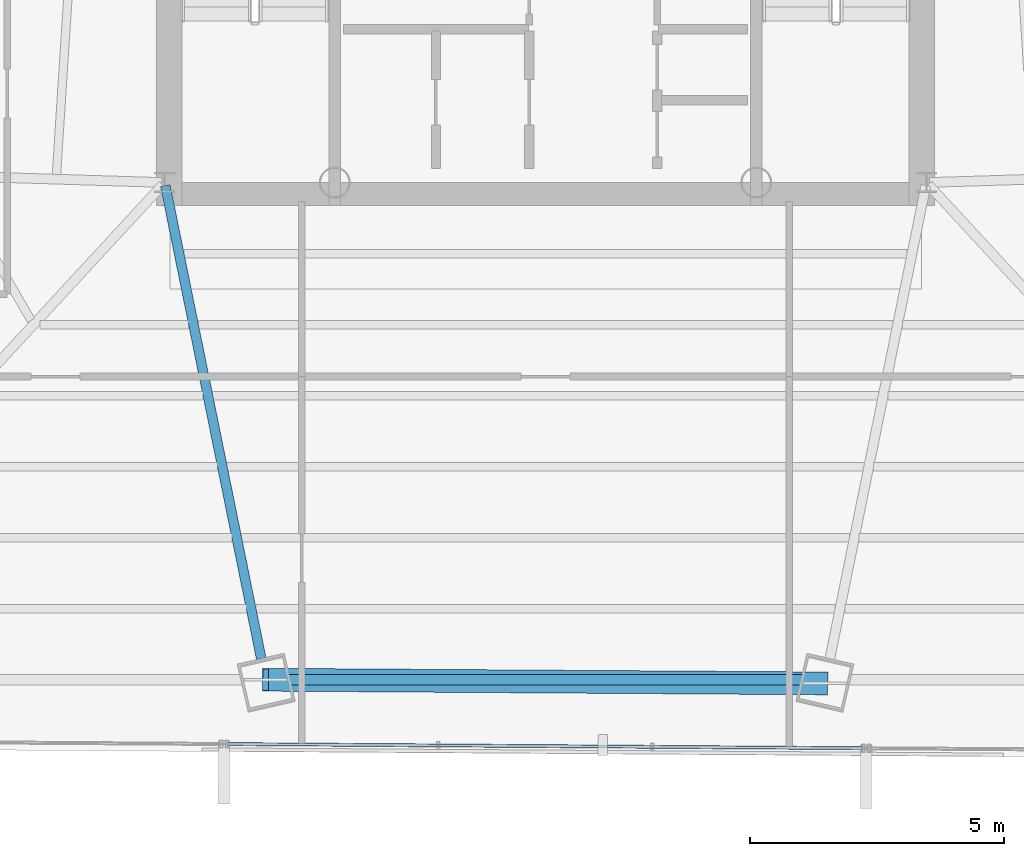
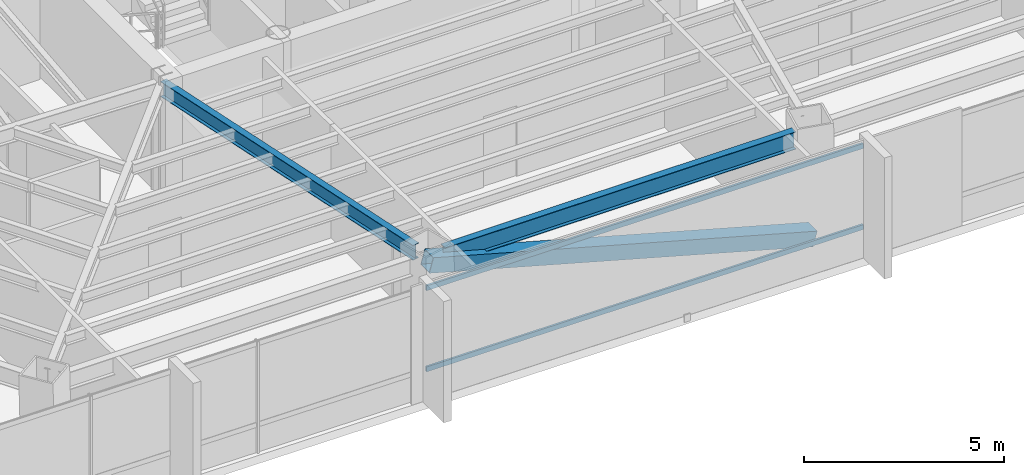
# One storey, part 9 of 41: 3 members, 2 beams, 1 element without a shape of its own.
"""IFC4 building model written with IfcOpenShell, lengths in metres."""

from ifc_helpers import new_model, si_unit, direction, frame, origin, origin_2d, place, context, subcontext, project, spatial, hollow_rectangle, i_section, extrude, source, transform, mapped, material, material_profile, profile_set, type_object, type_shapes, element, aggregate, save


model = new_model("IFC4")

# Units and contexts
model_context = context("Model", 3, precision=1e-05, world=origin(), true_north=direction((0.0, 1.0)))
body_context = subcontext(model_context, "Body", "Model", "MODEL_VIEW")
ifc_project = project(units=[si_unit("LENGTHUNIT", "METRE"), si_unit("AREAUNIT", "SQUARE_METRE"), si_unit("VOLUMEUNIT", "CUBIC_METRE"), si_unit("PLANEANGLEUNIT", "RADIAN"), si_unit("MASSUNIT", "GRAM", prefix="KILO")], contexts=[model_context])

# Site, building, storey
site_placement = place(None, origin())
site = spatial("IfcSite", under=ifc_project, at=site_placement, CompositionType="ELEMENT")
building_placement = place(site_placement, origin())
building = spatial("IfcBuilding", under=site, at=building_placement, Name="Caelisora Broadcast Tower", CompositionType="ELEMENT")
storey_placement = place(building_placement, frame((0.0, 0.0, 165.800048828125)))
storey = spatial("IfcBuildingStorey", under=building, at=storey_placement, Name="L43", CompositionType="ELEMENT", Elevation=165.800048828125)

# Beams
ifc_material_1 = material(Name="Steel Grade 350 (AS/NZS 3679.1)", Category="steel")
ifc_material_profile_1 = material_profile(ifc_material_1, i_section(OverallWidth=0.208984375, OverallDepth=0.532958984375, WebThickness=0.01025390625, FlangeThickness=0.015625, at=origin_2d()), Name="Steel Grade 350 (AS/NZS 3679.1)")
ifc_profile_set_1 = profile_set([ifc_material_profile_1], Name="Steel Grade 350 (AS/NZS 3679.1)")
beam_type_1 = type_object("IfcBeamType", Name="PG05", PredefinedType="BEAM", material=ifc_profile_set_1)
shared_shape_1 = source(origin(), body_context, "Body", "SweptSolid", [
    extrude(i_section(OverallWidth=0.208984375, OverallDepth=0.532958984375, WebThickness=0.01025390625, FlangeThickness=0.015625, at=origin_2d()), origin(), (0.0, 0.0, 1.0), 10.1083984375),
])
type_shapes(beam_type_1, [shared_shape_1])
beam_1_placement = place(storey_placement, frame((32.94580078125, 7.609619140625, 3.133544921875), z_axis=(1.0, 0.0, 0.0), x_axis=(0.0, 1.0, 0.0)))
element("IfcBeam", 1, at=beam_1_placement, inside=storey, type_object=beam_type_1, Name="L43 beam PG05", PredefinedType="BEAM", context=body_context, shape_type="MappedRepresentation", body=[
    mapped(shared_shape_1, transform((0.0, 0.0, 0.0), scale=1.0)),
])
ifc_material_profile_2 = material_profile(ifc_material_1, i_section(OverallWidth=0.19091796875, OverallDepth=0.46044921875, WebThickness=0.010009765625, FlangeThickness=0.01611328125, at=origin_2d()), Name="Steel Grade 350 (AS/NZS 3679.1)")
ifc_profile_set_2 = profile_set([ifc_material_profile_2], Name="Steel Grade 350 (AS/NZS 3679.1)")
beam_type_2 = type_object("IfcBeamType", Name="PG06", PredefinedType="BEAM", material=ifc_profile_set_2)
shared_shape_2 = source(origin(), body_context, "Body", "SweptSolid", [
    extrude(i_section(OverallWidth=0.19091796875, OverallDepth=0.46044921875, WebThickness=0.010009765625, FlangeThickness=0.01611328125, at=origin_2d()), origin(), (0.0, 0.0, 1.0), 9.509765625),
])
type_shapes(beam_type_2, [shared_shape_2])
beam_2_placement = place(storey_placement, frame((30.511962890625, 17.34130859375, 3.169677734375), z_axis=(0.198756732109, -0.98004885666, 0.0), x_axis=(0.98004885666, 0.198756732109, 0.0)))
element("IfcBeam", 2, at=beam_2_placement, inside=storey, type_object=beam_type_2, Name="L43 beam PG06", PredefinedType="BEAM", context=body_context, shape_type="MappedRepresentation", body=[
    mapped(shared_shape_2, transform((0.0, 0.0, 0.0), scale=1.0)),
])

# Member
ifc_material_2 = material(Name="Steel Grade 450 (AS/NZS 1163 C450L0)", Category="steel")
ifc_material_profile_3 = material_profile(ifc_material_2, hollow_rectangle(XDim=0.449951171875, YDim=0.449951171875, WallThickness=0.01611328125, at=origin_2d()), Name="Steel Grade 450 (AS/NZS 1163 C450L0)")
ifc_profile_set_3 = profile_set([ifc_material_profile_3], Name="Steel Grade 450 (AS/NZS 1163 C450L0)")
member_type_1 = type_object("IfcMemberType", Name="BR03", PredefinedType="BRACE", material=ifc_profile_set_3)
shared_shape_3 = source(origin(), body_context, "Body", "SweptSolid", [
    extrude(hollow_rectangle(XDim=0.449951171875, YDim=0.449951171875, WallThickness=0.01611328125, at=origin_2d()), origin(), (0.0, 0.0, 1.0), 11.413818359375),
])
type_shapes(member_type_1, [shared_shape_3])
member_1_placement = place(storey_placement, frame((32.485595703125, 7.609619140625, 3.099853515625), z_axis=(0.964818487886, -0.006331447533, -0.262840632713), x_axis=(0.006562178573, 0.999978468674, 0.0)))
element("IfcMember", 3, at=member_1_placement, inside=storey, type_object=member_type_1, Name="L43 perimeter brace BR03", PredefinedType="BRACE", context=body_context, shape_type="MappedRepresentation", body=[
    mapped(shared_shape_3, transform((0.0, 0.0, 0.0), scale=1.0)),
])

# Curtain wall, members
ifc_material_3 = material(Name="Unitised Aluminium Insulated Shadow-Box Spandrel Curtain Wall", Category="aluminium")
curtain_wall_type = type_object("IfcCurtainWallType", Name="CW-SP2", PredefinedType="NOTDEFINED", material=ifc_material_3)
curtain_wall_placement = place(storey_placement, origin())
curtain_wall = element("IfcCurtainWall", 4, at=curtain_wall_placement, inside=storey, type_object=curtain_wall_type, Name="L43 curtain wall CW-SP2", PredefinedType="NOTDEFINED")
ifc_material_4 = material(Name="Aluminium 6063-T6 Anodised Terracotta Bronze", Category="aluminium")
ifc_material_profile_4 = material_profile(ifc_material_4, hollow_rectangle(XDim=0.06005859375, YDim=0.14990234375, WallThickness=0.00341796875, at=origin_2d()), Name="Aluminium 6063-T6 Anodised Terracotta Bronze")
ifc_profile_set_4 = profile_set([ifc_material_profile_4], Name="Aluminium 6063-T6 Anodised Terracotta Bronze")
member_type_2 = type_object("IfcMemberType", Name="CWT-02", PredefinedType="USERDEFINED", material=ifc_profile_set_4)
shared_shape_4 = source(origin(), body_context, "Body", "SweptSolid", [
    extrude(hollow_rectangle(XDim=0.06005859375, YDim=0.14990234375, WallThickness=0.00341796875, at=origin_2d()), origin(), (0.0, 0.0, 1.0), 12.53564453125),
])
type_shapes(member_type_2, [shared_shape_4])
member_2_placement = place(storey_placement, frame((44.259521484375, 6.2607421875, 0.849853515625), z_axis=(-0.999978461301, 0.006563302005, 0.0), x_axis=(-0.006563302005, -0.999978461301, 0.0)))
member_2 = element("IfcMember", 5, at=member_2_placement, type_object=member_type_2, Name="L43-CW-B06 transom #1", ObjectType="TRANSOM", PredefinedType="USERDEFINED", context=body_context, shape_type="MappedRepresentation", body=[
    mapped(shared_shape_4, transform((0.0, 0.0, 0.0), scale=1.0)),
])
member_3_placement = place(storey_placement, frame((44.259521484375, 6.2607421875, 3.320068359375), z_axis=(-0.999978461301, 0.006563302005, 0.0), x_axis=(-0.006563302005, -0.999978461301, 0.0)))
member_3 = element("IfcMember", 6, at=member_3_placement, type_object=member_type_2, Name="L43-CW-B06 transom #2", ObjectType="TRANSOM", PredefinedType="USERDEFINED", context=body_context, shape_type="MappedRepresentation", body=[
    mapped(shared_shape_4, transform((0.0, 0.0, 0.0), scale=1.0)),
])
aggregate(curtain_wall, [member_2, member_3])

save(model, "model.ifc")
